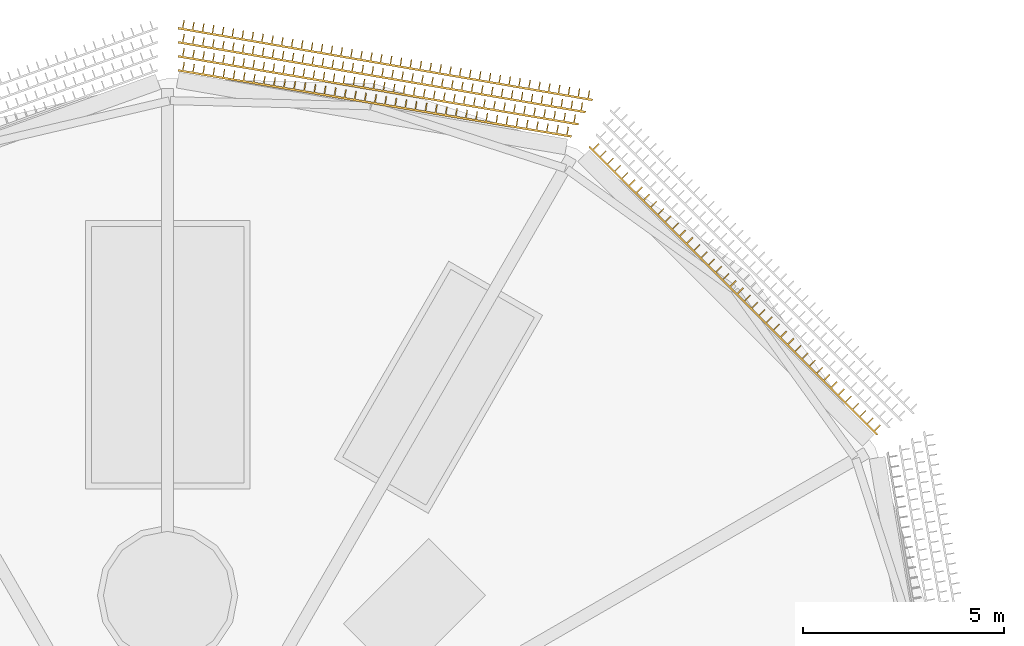
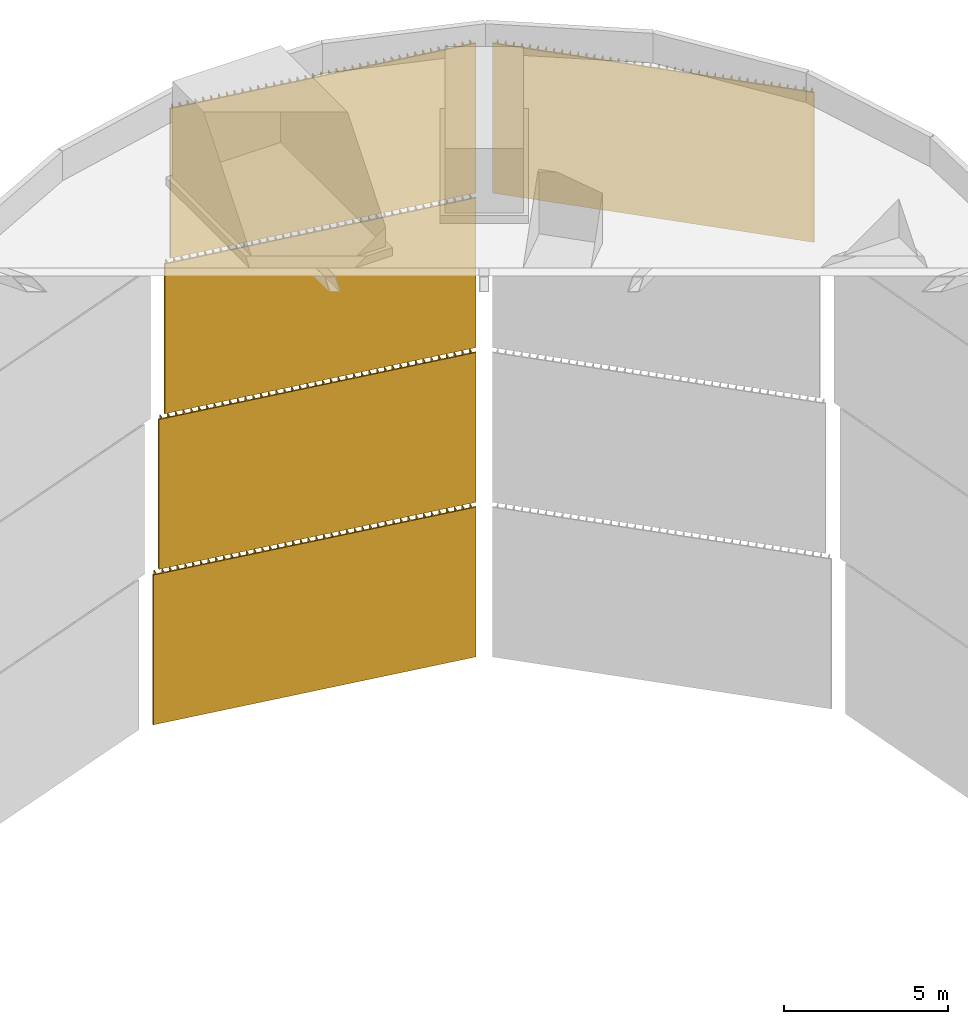
# One storey, part 21 of 24: 5 coverings.
"""IFC4 building model written with IfcOpenShell, lengths in metres."""

import ifcopenshell
import ifcopenshell.guid

model = None  # the IFC model being written
_history = None  # IfcOwnerHistory: only IFC2X3 demands one
_inside = {}  # id of a spatial element -> (the spatial element, [elements in it])
_under = {}  # id of a project, library or spatial element -> (it, [spatial elements below it])
_declared = {}  # id of a project -> (the project, [libraries it declares])
_typed = {}  # id of a type object -> (the type object, [elements of that type])
_made_of = {}  # id of a material, layer set ... -> (it, [elements and type objects made of it])


def new_model(schema):
    """Start an empty IFC model of exactly this schema.

    Asked for "IFC4X3", IfcOpenShell would pick the latest addendum, in which some entities
    have other attributes; the version numbers below select the first issue.
    IFC2X3 requires an IfcOwnerHistory on every rooted entity: one is made here for all.
    """
    global model, _history
    if schema == "IFC4X3":
        model = ifcopenshell.file(schema_version=(4, 3, 0, 0))
    else:
        model = ifcopenshell.file(schema=schema)
    _inside.clear()
    _under.clear()
    _declared.clear()
    _typed.clear()
    _made_of.clear()
    _history = None
    if model.schema == "IFC2X3":
        org = make("IfcOrganization", Name="unknown")
        user = make(
            "IfcPersonAndOrganization",
            ThePerson=make("IfcPerson", FamilyName="unknown"),
            TheOrganization=org,
        )
        app = make(
            "IfcApplication",
            ApplicationDeveloper=org,
            Version="unknown",
            ApplicationFullName="unknown",
            ApplicationIdentifier="unknown",
        )
        _history = make(
            "IfcOwnerHistory",
            OwningUser=user,
            OwningApplication=app,
            ChangeAction="ADDED",
            CreationDate=0,
        )
    return model


def make(cls, **values):
    """One entity of the class cls with the attributes given. An attribute that is None is left unset."""
    return model.create_entity(
        cls, **{name: value for name, value in values.items() if value is not None}
    )


def rooted(cls, **values):
    """An entity with a GlobalId (a new one), such as an element, a storey or a relation."""
    return make(cls, GlobalId=ifcopenshell.guid.new(), OwnerHistory=_history, **values)


def si_unit(unit_type, name, prefix=None):
    """IfcSIUnit, for example si_unit("LENGTHUNIT", "METRE", prefix="MILLI")."""
    return make("IfcSIUnit", UnitType=unit_type, Prefix=prefix, Name=name)


def assignment(units):
    """IfcUnitAssignment: the units of a project."""
    return None if units is None else make("IfcUnitAssignment", Units=units)


def point(xyz):
    """IfcCartesianPoint."""
    return None if xyz is None else make("IfcCartesianPoint", Coordinates=xyz)


def direction(xyz):
    """IfcDirection."""
    return None if xyz is None else make("IfcDirection", DirectionRatios=xyz)


def frame(location, z_axis=None, x_axis=None):
    """IfcAxis2Placement3D, a coordinate frame: its origin and axes. An axis left out is left unset."""
    return make(
        "IfcAxis2Placement3D",
        Location=point(location),
        Axis=direction(z_axis),
        RefDirection=direction(x_axis),
    )


def origin():
    """The frame at (0, 0, 0) with its axes left unset."""
    return frame((0.0, 0.0, 0.0))


def place(relative_to, where):
    """IfcLocalPlacement: puts the frame where relative to a parent placement (None: the world)."""
    return make(
        "IfcLocalPlacement", PlacementRelTo=relative_to, RelativePlacement=where
    )


def context(
    kind, dimensions, precision=None, world=None, true_north=None, identifier=None
):
    """IfcGeometricRepresentationContext, for example the 3D "Model" context."""
    return make(
        "IfcGeometricRepresentationContext",
        ContextIdentifier=identifier,
        ContextType=kind,
        CoordinateSpaceDimension=dimensions,
        Precision=precision,
        WorldCoordinateSystem=world,
        TrueNorth=true_north,
    )


def subcontext(parent, identifier, kind, view, scale=None):
    """IfcGeometricRepresentationSubContext, for example "Body" below "Model"."""
    return make(
        "IfcGeometricRepresentationSubContext",
        ContextIdentifier=identifier,
        ContextType=kind,
        ParentContext=parent,
        TargetScale=scale,
        TargetView=view,
    )


def project(units=None, contexts=None):
    """IfcProject with its units and contexts."""
    return rooted(
        "IfcProject",
        Name="project",
        RepresentationContexts=contexts,
        UnitsInContext=assignment(units),
    )


def spatial(cls, under=None, at=None, **own):
    """A site, building, storey or space (cls), placed at a placement, below another one or the project."""
    s = rooted(cls, ObjectPlacement=at, **own)
    if under is not None:
        _under.setdefault(under.id(), (under, []))[1].append(s)
    return s


def polyline(points):
    """IfcPolyline through the points."""
    return make("IfcPolyline", Points=[point(p) for p in points])


def outline(outer, holes=None, kind="AREA"):
    """IfcArbitraryClosedProfileDef: a profile drawn as a closed curve; with holes, ...WithVoids."""
    if holes is None:
        return make("IfcArbitraryClosedProfileDef", ProfileType=kind, OuterCurve=outer)
    return make(
        "IfcArbitraryProfileDefWithVoids",
        ProfileType=kind,
        OuterCurve=outer,
        InnerCurves=holes,
    )


def extrude(swept, where, along, depth):
    """IfcExtrudedAreaSolid: the profile swept, set in the frame where, extruded along a direction by depth."""
    return make(
        "IfcExtrudedAreaSolid",
        SweptArea=swept,
        Position=where,
        ExtrudedDirection=direction(along),
        Depth=depth,
    )


def shape(context_of_items, identifier, shape_type, items):
    """IfcShapeRepresentation: the items that make up one representation, for example the "Body"."""
    return make(
        "IfcShapeRepresentation",
        ContextOfItems=context_of_items,
        RepresentationIdentifier=identifier,
        RepresentationType=shape_type,
        Items=items,
    )


def material(Name=None, Category=None):
    """IfcMaterial."""
    return make("IfcMaterial", Name=Name, Category=Category)


def made_of(thing, what):
    """Note that an element or type object is made of a material, layer set ...; save() writes the relation."""
    if what is not None:
        _made_of.setdefault(what.id(), (what, []))[1].append(thing)
    return thing


def type_object(cls, material=None, **own):
    """A type object (cls), such as IfcWallType, which elements share."""
    return made_of(rooted(cls, **own), material)


def element(
    cls,
    number,
    at=None,
    inside=None,
    cuts=None,
    type_object=None,
    material=None,
    context=None,
    identifier="Body",
    shape_type=None,
    held_by="IfcProductDefinitionShape",
    body=None,
    shapes=None,
    **own,
):
    """One element of the class cls, such as IfcWall. Its Tag is "e" and its number.

    at: its placement. inside: the storey or other place that contains it. cuts: it is an
    opening in that element (IfcRelVoidsElement). A single representation is given by context,
    identifier, shape_type and body (its items); several are given by shapes. held_by: the class
    of the entity that holds the representations. save() writes the other relations.
    """
    e = rooted(cls, Tag="e%d" % number, ObjectPlacement=at, **own)
    if body is not None:
        shapes = [shape(context, identifier, shape_type, body)]
    if shapes is not None:
        e.Representation = make(held_by, Representations=shapes)
    if inside is not None:
        _inside.setdefault(inside.id(), (inside, []))[1].append(e)
    if cuts is not None:
        rooted(
            "IfcRelVoidsElement", RelatingBuildingElement=cuts, RelatedOpeningElement=e
        )
    if type_object is not None:
        _typed.setdefault(type_object.id(), (type_object, []))[1].append(e)
    return made_of(e, material)


def aggregate(whole, parts):
    """IfcRelAggregates: a whole, such as a stair, and the parts it consists of."""
    return rooted("IfcRelAggregates", RelatingObject=whole, RelatedObjects=parts)


def save(model, path):
    """Write the relations noted so far, then the file.

    IfcRelAggregates (storeys below a building ...), IfcRelContainedInSpatialStructure (elements
    in a storey), IfcRelDefinesByType, IfcRelAssociatesMaterial and IfcRelDeclares: one each for
    every whole, place, type object, material and project.
    """
    for whole, parts in _under.values():
        aggregate(whole, parts)
    for where, things in _inside.values():
        rooted(
            "IfcRelContainedInSpatialStructure",
            RelatedElements=things,
            RelatingStructure=where,
        )
    for kind, things in _typed.values():
        rooted("IfcRelDefinesByType", RelatedObjects=things, RelatingType=kind)
    for what, things in _made_of.values():
        rooted("IfcRelAssociatesMaterial", RelatedObjects=things, RelatingMaterial=what)
    for by, libraries in _declared.values():
        rooted("IfcRelDeclares", RelatingContext=by, RelatedDefinitions=libraries)
    model.write(path)


model = new_model("IFC4")

# Units and contexts
model_context = context("Model", 3, precision=1e-05, world=origin(), true_north=direction((0.0, 1.0)))
body_context = subcontext(model_context, "Body", "Model", "MODEL_VIEW")
ifc_project = project(units=[si_unit("LENGTHUNIT", "METRE"), si_unit("AREAUNIT", "SQUARE_METRE"), si_unit("VOLUMEUNIT", "CUBIC_METRE"), si_unit("PLANEANGLEUNIT", "RADIAN"), si_unit("MASSUNIT", "GRAM", prefix="KILO")], contexts=[model_context])

# Site, building, storey
site_placement = place(None, origin())
site = spatial("IfcSite", under=ifc_project, at=site_placement, CompositionType="ELEMENT")
building_placement = place(site_placement, origin())
building = spatial("IfcBuilding", under=site, at=building_placement, Name="Rimbun Link Towers", CompositionType="ELEMENT")
storey_placement = place(building_placement, frame((0.0, 0.0, 294.89990234375)))
storey = spatial("IfcBuildingStorey", under=building, at=storey_placement, Name="Roof cap", CompositionType="ELEMENT", Elevation=294.89990234375)

# Coverings
ifc_material = material(Name="Terracotta", Category="masonry")
covering_type = type_object("IfcCoveringType", Name="TERRACOTTA CLADDING screen fins", PredefinedType="CLADDING", material=ifc_material)
covering_1_placement = place(storey_placement, frame((0.0, 0.0, -23.087890625)))
element("IfcCovering", 1, at=covering_1_placement, inside=storey, type_object=covering_type, Name="TERRACOTTA CLADDING screen", PredefinedType="CLADDING", context=body_context, shape_type="SweptSolid", body=[
    extrude(outline(polyline([(42.353515625, 18.873779296875), (42.2451171875, 18.892578125), (42.279296875, 19.089599609375), (42.249755859375, 19.0947265625), (42.215576171875, 18.897705078125), (41.998779296875, 18.935302734375), (42.03271484375, 19.13232421875), (42.00341796875, 19.137451171875), (41.96923828125, 18.9404296875), (41.752197265625, 18.97802734375), (41.786376953125, 19.175048828125), (41.7568359375, 19.18017578125), (41.72265625, 18.983154296875), (41.505859375, 19.020751953125), (41.5400390625, 19.2177734375), (41.510498046875, 19.222900390625), (41.476318359375, 19.02587890625), (41.259521484375, 19.0634765625), (41.293701171875, 19.260498046875), (41.263916015625, 19.265380859375), (41.22998046875, 19.068603515625), (41.012939453125, 19.10595703125), (41.047119140625, 19.302978515625), (41.017578125, 19.30810546875), (40.9833984375, 19.111083984375), (40.7666015625, 19.148681640625), (40.80078125, 19.345703125), (40.771240234375, 19.350830078125), (40.737060546875, 19.15380859375), (40.520263671875, 19.19140625), (40.55419921875, 19.388427734375), (40.52490234375, 19.3935546875), (40.490478515625, 19.196533203125), (40.273681640625, 19.234130859375), (40.307861328125, 19.43115234375), (40.2783203125, 19.436279296875), (40.244140625, 19.2392578125), (40.02734375, 19.276611328125), (40.0615234375, 19.473876953125), (40.031982421875, 19.47900390625), (39.997802734375, 19.281982421875), (39.781005859375, 19.3193359375), (39.815185546875, 19.5166015625), (39.785400390625, 19.521484375), (39.75146484375, 19.324462890625), (39.534423828125, 19.362060546875), (39.568603515625, 19.55908203125), (39.5390625, 19.564208984375), (39.5048828125, 19.3671875), (39.2880859375, 19.40478515625), (39.322265625, 19.601806640625), (39.292724609375, 19.60693359375), (39.258544921875, 19.409912109375), (39.041748046875, 19.447509765625), (39.07568359375, 19.64453125), (39.04638671875, 19.649658203125), (39.01220703125, 19.45263671875), (38.79541015625, 19.489990234375), (38.829345703125, 19.687255859375), (38.7998046875, 19.6923828125), (38.765625, 19.4951171875), (38.548828125, 19.53271484375), (38.5830078125, 19.72998046875), (38.553466796875, 19.735107421875), (38.519287109375, 19.537841796875), (38.302490234375, 19.575439453125), (38.336669921875, 19.7724609375), (38.306884765625, 19.777587890625), (38.27294921875, 19.58056640625), (38.055908203125, 19.6181640625), (38.090087890625, 19.815185546875), (38.060546875, 19.8203125), (38.026611328125, 19.623291015625), (37.8095703125, 19.660888671875), (37.84375, 19.85791015625), (37.814208984375, 19.863037109375), (37.780029296875, 19.666015625), (37.563232421875, 19.70361328125), (37.597412109375, 19.900634765625), (37.56787109375, 19.90576171875), (37.53369140625, 19.70849609375), (37.31689453125, 19.74609375), (37.350830078125, 19.943115234375), (37.3212890625, 19.948486328125), (37.287109375, 19.751220703125), (37.0703125, 19.788818359375), (37.1044921875, 19.98583984375), (37.074951171875, 19.990966796875), (37.040771484375, 19.7939453125), (36.823974609375, 19.83154296875), (36.858154296875, 20.028564453125), (36.82861328125, 20.03369140625), (36.79443359375, 19.836669921875), (36.577392578125, 19.874267578125), (36.611572265625, 20.0712890625), (36.58203125, 20.076416015625), (36.548095703125, 19.87939453125), (36.3310546875, 19.9169921875), (36.365234375, 20.114013671875), (36.335693359375, 20.119140625), (36.301513671875, 19.922119140625), (36.084716796875, 19.95947265625), (36.118896484375, 20.156494140625), (36.089111328125, 20.16162109375), (36.05517578125, 19.964599609375), (35.83837890625, 20.002197265625), (35.872314453125, 20.19921875), (35.8427734375, 20.204345703125), (35.80859375, 20.00732421875), (35.591796875, 20.044921875), (35.6259765625, 20.241943359375), (35.596435546875, 20.2470703125), (35.562255859375, 20.050048828125), (35.345458984375, 20.087646484375), (35.379638671875, 20.28466796875), (35.35009765625, 20.289794921875), (35.31591796875, 20.0927734375), (35.09912109375, 20.130126953125), (35.133056640625, 20.327392578125), (35.103515625, 20.33251953125), (35.0693359375, 20.135498046875), (34.8525390625, 20.1728515625), (34.88671875, 20.3701171875), (34.857177734375, 20.375), (34.822998046875, 20.177978515625), (34.606201171875, 20.215576171875), (34.640380859375, 20.41259765625), (34.610595703125, 20.417724609375), (34.57666015625, 20.220703125), (34.35986328125, 20.25830078125), (34.393798828125, 20.455322265625), (34.3642578125, 20.46044921875), (34.330078125, 20.263427734375), (34.11328125, 20.30078125), (34.1474609375, 20.498046875), (34.117919921875, 20.503173828125), (34.083740234375, 20.30615234375), (33.866943359375, 20.343505859375), (33.90087890625, 20.540771484375), (33.87158203125, 20.5458984375), (33.83740234375, 20.3486328125), (33.62060546875, 20.38623046875), (33.654541015625, 20.58349609375), (33.625, 20.58837890625), (33.5908203125, 20.391357421875), (33.3740234375, 20.428955078125), (33.408203125, 20.6259765625), (33.378662109375, 20.631103515625), (33.344482421875, 20.43408203125), (33.127685546875, 20.4716796875), (33.161865234375, 20.668701171875), (33.132080078125, 20.673828125), (33.09814453125, 20.476806640625), (32.881103515625, 20.514404296875), (32.915283203125, 20.71142578125), (32.8857421875, 20.716552734375), (32.851806640625, 20.519287109375), (32.634765625, 20.556884765625), (32.6689453125, 20.754150390625), (32.639404296875, 20.75927734375), (32.605224609375, 20.56201171875), (32.388427734375, 20.599609375), (32.422607421875, 20.796630859375), (32.39306640625, 20.802001953125), (32.35888671875, 20.604736328125), (32.14208984375, 20.642333984375), (32.176025390625, 20.83935546875), (32.146484375, 20.844482421875), (32.1123046875, 20.6474609375), (32.00390625, 20.666259765625), (32.00390625, 20.615478515625), (42.326904296875, 18.827880859375), (42.353515625, 18.873779296875)])), origin(), (0.0, 0.0, 1.0), 5.575927734375),
])
covering_2_placement = place(storey_placement, frame((0.0, 0.0, -17.087890625)))
element("IfcCovering", 2, at=covering_2_placement, inside=storey, type_object=covering_type, Name="TERRACOTTA CLADDING screen", PredefinedType="CLADDING", context=body_context, shape_type="SweptSolid", body=[
    extrude(outline(polyline([(42.1787109375, 18.57080078125), (42.0693359375, 18.589599609375), (42.10302734375, 18.78662109375), (42.073486328125, 18.791748046875), (42.039794921875, 18.594482421875), (41.821044921875, 18.632080078125), (41.85498046875, 18.829345703125), (41.825439453125, 18.834228515625), (41.79150390625, 18.63720703125), (41.572998046875, 18.6748046875), (41.606689453125, 18.871826171875), (41.5771484375, 18.876953125), (41.54345703125, 18.6796875), (41.32470703125, 18.71728515625), (41.358642578125, 18.914306640625), (41.3291015625, 18.91943359375), (41.295166015625, 18.722412109375), (41.07666015625, 18.759765625), (41.110595703125, 18.95703125), (41.080810546875, 18.9619140625), (41.047119140625, 18.764892578125), (40.82861328125, 18.802490234375), (40.8623046875, 18.99951171875), (40.832763671875, 19.004638671875), (40.798828125, 18.8076171875), (40.580322265625, 18.844970703125), (40.614013671875, 19.0419921875), (40.584716796875, 19.047119140625), (40.55078125, 18.85009765625), (40.332275390625, 18.8876953125), (40.365966796875, 19.084716796875), (40.33642578125, 19.089599609375), (40.302490234375, 18.892578125), (40.083984375, 18.93017578125), (40.117919921875, 19.127197265625), (40.088134765625, 19.13232421875), (40.054443359375, 18.935302734375), (39.835693359375, 18.97265625), (39.86962890625, 19.169921875), (39.840087890625, 19.1748046875), (39.806396484375, 18.977783203125), (39.587646484375, 19.015380859375), (39.62158203125, 19.21240234375), (39.591796875, 19.217529296875), (39.55810546875, 19.020263671875), (39.339599609375, 19.057861328125), (39.373291015625, 19.2548828125), (39.34375, 19.260009765625), (39.309814453125, 19.06298828125), (39.09130859375, 19.100341796875), (39.125244140625, 19.297607421875), (39.095703125, 19.302490234375), (39.061767578125, 19.10546875), (38.84326171875, 19.14306640625), (38.876953125, 19.340087890625), (38.847412109375, 19.34521484375), (38.813720703125, 19.148193359375), (38.594970703125, 19.185546875), (38.62890625, 19.3828125), (38.599365234375, 19.3876953125), (38.5654296875, 19.190673828125), (38.346923828125, 19.22802734375), (38.380615234375, 19.42529296875), (38.35107421875, 19.430419921875), (38.3173828125, 19.233154296875), (38.0986328125, 19.270751953125), (38.132568359375, 19.4677734375), (38.10302734375, 19.472900390625), (38.069091796875, 19.27587890625), (37.8505859375, 19.313232421875), (37.884521484375, 19.510498046875), (37.854736328125, 19.515380859375), (37.821044921875, 19.318359375), (37.602294921875, 19.355712890625), (37.63623046875, 19.552978515625), (37.606689453125, 19.55810546875), (37.57275390625, 19.36083984375), (37.354248046875, 19.3984375), (37.387939453125, 19.595458984375), (37.3583984375, 19.6005859375), (37.32470703125, 19.403564453125), (37.106201171875, 19.44091796875), (37.139892578125, 19.63818359375), (37.1103515625, 19.643310546875), (37.076416015625, 19.446044921875), (36.85791015625, 19.483642578125), (36.8916015625, 19.6806640625), (36.8623046875, 19.685791015625), (36.828369140625, 19.488525390625), (36.60986328125, 19.526123046875), (36.6435546875, 19.72314453125), (36.614013671875, 19.728271484375), (36.580078125, 19.53125), (36.361572265625, 19.568603515625), (36.3955078125, 19.765869140625), (36.36572265625, 19.77099609375), (36.33203125, 19.57373046875), (36.11328125, 19.611328125), (36.147216796875, 19.808349609375), (36.11767578125, 19.8134765625), (36.083984375, 19.6162109375), (35.865234375, 19.65380859375), (35.899169921875, 19.85107421875), (35.869384765625, 19.85595703125), (35.835693359375, 19.658935546875), (35.6171875, 19.6962890625), (35.65087890625, 19.8935546875), (35.621337890625, 19.898681640625), (35.58740234375, 19.701416015625), (35.368896484375, 19.739013671875), (35.40283203125, 19.93603515625), (35.373291015625, 19.941162109375), (35.33935546875, 19.744140625), (35.120849609375, 19.781494140625), (35.154541015625, 19.978759765625), (35.125, 19.983642578125), (35.09130859375, 19.78662109375), (34.87255859375, 19.82421875), (34.906494140625, 20.021240234375), (34.876953125, 20.0263671875), (34.843017578125, 19.8291015625), (34.62451171875, 19.86669921875), (34.658203125, 20.063720703125), (34.628662109375, 20.06884765625), (34.594970703125, 19.871826171875), (34.376220703125, 19.9091796875), (34.41015625, 20.1064453125), (34.380615234375, 20.111572265625), (34.3466796875, 19.914306640625), (34.128173828125, 19.951904296875), (34.162109375, 20.14892578125), (34.13232421875, 20.154052734375), (34.0986328125, 19.956787109375), (33.8798828125, 19.994384765625), (33.913818359375, 20.19140625), (33.88427734375, 20.196533203125), (33.850341796875, 19.99951171875), (33.6318359375, 20.037109375), (33.66552734375, 20.234130859375), (33.635986328125, 20.2392578125), (33.602294921875, 20.0419921875), (33.3837890625, 20.07958984375), (33.41748046875, 20.276611328125), (33.387939453125, 20.28173828125), (33.35400390625, 20.084716796875), (33.135498046875, 20.1220703125), (33.169189453125, 20.319091796875), (33.139892578125, 20.32421875), (33.10595703125, 20.127197265625), (32.88720703125, 20.164794921875), (32.921142578125, 20.36181640625), (32.8916015625, 20.366943359375), (32.85791015625, 20.169921875), (32.63916015625, 20.207275390625), (32.673095703125, 20.404296875), (32.643310546875, 20.409423828125), (32.609619140625, 20.21240234375), (32.39111328125, 20.249755859375), (32.4248046875, 20.447021484375), (32.395263671875, 20.451904296875), (32.361572265625, 20.2548828125), (32.142822265625, 20.29248046875), (32.1767578125, 20.489501953125), (32.147216796875, 20.49462890625), (32.11328125, 20.297607421875), (32.00390625, 20.316162109375), (32.00390625, 20.265380859375), (42.15185546875, 18.524658203125), (42.1787109375, 18.57080078125)])), origin(), (0.0, 0.0, 1.0), 5.575927734375),
])
covering_3_placement = place(storey_placement, frame((0.0, 0.0, -11.087890625)))
element("IfcCovering", 3, at=covering_3_placement, inside=storey, type_object=covering_type, Name="TERRACOTTA CLADDING screen", PredefinedType="CLADDING", context=body_context, shape_type="SweptSolid", body=[
    extrude(outline(polyline([(42.003662109375, 18.267578125), (41.893310546875, 18.28662109375), (41.927001953125, 18.483642578125), (41.897216796875, 18.48876953125), (41.86376953125, 18.29150390625), (41.643310546875, 18.328857421875), (41.677001953125, 18.526123046875), (41.647216796875, 18.531005859375), (41.61376953125, 18.333984375), (41.393310546875, 18.371337890625), (41.427001953125, 18.568603515625), (41.397216796875, 18.573486328125), (41.36376953125, 18.37646484375), (41.143310546875, 18.413818359375), (41.177001953125, 18.611083984375), (41.147216796875, 18.615966796875), (41.11376953125, 18.4189453125), (40.893310546875, 18.456298828125), (40.927001953125, 18.653564453125), (40.897216796875, 18.658447265625), (40.864013671875, 18.461181640625), (40.643310546875, 18.498779296875), (40.677001953125, 18.69580078125), (40.6474609375, 18.700927734375), (40.614013671875, 18.50390625), (40.393310546875, 18.541259765625), (40.427001953125, 18.73828125), (40.3974609375, 18.743408203125), (40.364013671875, 18.54638671875), (40.1435546875, 18.583740234375), (40.177001953125, 18.781005859375), (40.1474609375, 18.785888671875), (40.114013671875, 18.588623046875), (39.8935546875, 18.626220703125), (39.927001953125, 18.8232421875), (39.8974609375, 18.828369140625), (39.864013671875, 18.631103515625), (39.6435546875, 18.668701171875), (39.677001953125, 18.86572265625), (39.6474609375, 18.870849609375), (39.614013671875, 18.673583984375), (39.3935546875, 18.711181640625), (39.427001953125, 18.908203125), (39.3974609375, 18.913330078125), (39.364013671875, 18.716064453125), (39.1435546875, 18.75341796875), (39.177001953125, 18.95068359375), (39.1474609375, 18.955810546875), (39.114013671875, 18.758544921875), (38.8935546875, 18.7958984375), (38.927001953125, 18.9931640625), (38.8974609375, 18.998291015625), (38.864013671875, 18.801025390625), (38.6435546875, 18.83837890625), (38.677001953125, 19.03564453125), (38.6474609375, 19.040771484375), (38.614013671875, 18.843505859375), (38.3935546875, 18.880859375), (38.427001953125, 19.078125), (38.3974609375, 19.0830078125), (38.364013671875, 18.885986328125), (38.1435546875, 18.92333984375), (38.177001953125, 19.12060546875), (38.1474609375, 19.12548828125), (38.114013671875, 18.928466796875), (37.8935546875, 18.9658203125), (37.927001953125, 19.1630859375), (37.8974609375, 19.16796875), (37.864013671875, 18.970947265625), (37.6435546875, 19.00830078125), (37.677001953125, 19.20556640625), (37.6474609375, 19.21044921875), (37.614013671875, 19.01318359375), (37.3935546875, 19.05078125), (37.427001953125, 19.247802734375), (37.3974609375, 19.2529296875), (37.364013671875, 19.055908203125), (37.1435546875, 19.09326171875), (37.177001953125, 19.290283203125), (37.1474609375, 19.29541015625), (37.114013671875, 19.098388671875), (36.8935546875, 19.1357421875), (36.927001953125, 19.3330078125), (36.8974609375, 19.337890625), (36.864013671875, 19.140625), (36.6435546875, 19.17822265625), (36.677001953125, 19.375244140625), (36.6474609375, 19.38037109375), (36.614013671875, 19.18310546875), (36.3935546875, 19.220703125), (36.427001953125, 19.417724609375), (36.3974609375, 19.4228515625), (36.364013671875, 19.2255859375), (36.1435546875, 19.26318359375), (36.177001953125, 19.460205078125), (36.1474609375, 19.46533203125), (36.114013671875, 19.26806640625), (35.8935546875, 19.305419921875), (35.927001953125, 19.502685546875), (35.8974609375, 19.5078125), (35.864013671875, 19.310546875), (35.6435546875, 19.347900390625), (35.677001953125, 19.545166015625), (35.647705078125, 19.55029296875), (35.614013671875, 19.35302734375), (35.393798828125, 19.390380859375), (35.427001953125, 19.587646484375), (35.397705078125, 19.5927734375), (35.364013671875, 19.3955078125), (35.143798828125, 19.432861328125), (35.17724609375, 19.630126953125), (35.147705078125, 19.635009765625), (35.114013671875, 19.43798828125), (34.893798828125, 19.475341796875), (34.92724609375, 19.672607421875), (34.897705078125, 19.677490234375), (34.864013671875, 19.48046875), (34.643798828125, 19.517822265625), (34.67724609375, 19.715087890625), (34.647705078125, 19.72021484375), (34.614013671875, 19.52294921875), (34.393798828125, 19.560302734375), (34.42724609375, 19.757568359375), (34.397705078125, 19.762451171875), (34.364013671875, 19.565185546875), (34.143798828125, 19.602783203125), (34.17724609375, 19.800048828125), (34.147705078125, 19.804931640625), (34.114013671875, 19.60791015625), (33.893798828125, 19.645263671875), (33.92724609375, 19.84228515625), (33.897705078125, 19.847412109375), (33.864013671875, 19.650390625), (33.643798828125, 19.687744140625), (33.67724609375, 19.885009765625), (33.647705078125, 19.889892578125), (33.614013671875, 19.692626953125), (33.393798828125, 19.730224609375), (33.42724609375, 19.92724609375), (33.397705078125, 19.932373046875), (33.3642578125, 19.735107421875), (33.143798828125, 19.772705078125), (33.17724609375, 19.9697265625), (33.147705078125, 19.974853515625), (33.1142578125, 19.777587890625), (32.893798828125, 19.815185546875), (32.92724609375, 20.01220703125), (32.897705078125, 20.017333984375), (32.8642578125, 19.820068359375), (32.643798828125, 19.857421875), (32.67724609375, 20.0546875), (32.647705078125, 20.059814453125), (32.6142578125, 19.862548828125), (32.393798828125, 19.89990234375), (32.42724609375, 20.09716796875), (32.397705078125, 20.102294921875), (32.3642578125, 19.905029296875), (32.143798828125, 19.9423828125), (32.17724609375, 20.1396484375), (32.147705078125, 20.144775390625), (32.1142578125, 19.947509765625), (32.00390625, 19.96630859375), (32.00390625, 19.91552734375), (41.976806640625, 18.2216796875), (42.003662109375, 18.267578125)])), origin(), (0.0, 0.0, 1.0), 5.575927734375),
])
covering_4_placement = place(storey_placement, frame((0.0, 0.0, -5.087890625)))
element("IfcCovering", 4, at=covering_4_placement, inside=storey, type_object=covering_type, Name="TERRACOTTA CLADDING screen", PredefinedType="CLADDING", context=body_context, shape_type="SweptSolid", body=[
    extrude(outline(polyline([(41.82861328125, 17.964599609375), (41.71728515625, 17.9833984375), (41.75048828125, 18.1806640625), (41.720947265625, 18.185546875), (41.68798828125, 17.98828125), (41.465576171875, 18.025634765625), (41.498779296875, 18.222900390625), (41.468994140625, 18.227783203125), (41.43603515625, 18.03076171875), (41.213623046875, 18.068115234375), (41.246826171875, 18.265380859375), (41.21728515625, 18.270263671875), (41.18408203125, 18.072998046875), (40.961669921875, 18.1103515625), (40.994873046875, 18.3076171875), (40.96533203125, 18.3125), (40.93212890625, 18.115478515625), (40.709716796875, 18.152587890625), (40.742919921875, 18.35009765625), (40.71337890625, 18.35498046875), (40.68017578125, 18.15771484375), (40.4580078125, 18.195068359375), (40.490966796875, 18.392333984375), (40.46142578125, 18.397216796875), (40.42822265625, 18.2001953125), (40.2060546875, 18.2373046875), (40.239013671875, 18.434814453125), (40.20947265625, 18.439697265625), (40.176513671875, 18.242431640625), (39.9541015625, 18.27978515625), (39.9873046875, 18.47705078125), (39.95751953125, 18.48193359375), (39.924560546875, 18.284912109375), (39.7021484375, 18.322021484375), (39.7353515625, 18.519287109375), (39.705810546875, 18.5244140625), (39.672607421875, 18.3271484375), (39.4501953125, 18.364501953125), (39.4833984375, 18.561767578125), (39.453857421875, 18.566650390625), (39.420654296875, 18.369384765625), (39.1982421875, 18.40673828125), (39.2314453125, 18.60400390625), (39.201904296875, 18.60888671875), (39.168701171875, 18.411865234375), (38.9462890625, 18.44921875), (38.9794921875, 18.646484375), (38.949951171875, 18.6513671875), (38.916748046875, 18.4541015625), (38.694580078125, 18.491455078125), (38.7275390625, 18.688720703125), (38.697998046875, 18.693603515625), (38.664794921875, 18.49658203125), (38.442626953125, 18.533935546875), (38.4755859375, 18.731201171875), (38.446044921875, 18.736083984375), (38.4130859375, 18.538818359375), (38.190673828125, 18.576171875), (38.223876953125, 18.7734375), (38.194091796875, 18.7783203125), (38.1611328125, 18.581298828125), (37.938720703125, 18.61865234375), (37.971923828125, 18.81591796875), (37.9423828125, 18.82080078125), (37.9091796875, 18.62353515625), (37.686767578125, 18.660888671875), (37.719970703125, 18.858154296875), (37.6904296875, 18.863037109375), (37.6572265625, 18.666015625), (37.434814453125, 18.703369140625), (37.468017578125, 18.900390625), (37.4384765625, 18.905517578125), (37.4052734375, 18.708251953125), (37.18310546875, 18.74560546875), (37.21630859375, 18.94287109375), (37.1865234375, 18.94775390625), (37.1533203125, 18.75048828125), (36.93115234375, 18.787841796875), (36.96435546875, 18.985107421875), (36.934814453125, 18.990234375), (36.901611328125, 18.79296875), (36.67919921875, 18.830322265625), (36.71240234375, 19.027587890625), (36.682861328125, 19.032470703125), (36.649658203125, 18.835205078125), (36.42724609375, 18.87255859375), (36.46044921875, 19.06982421875), (36.430908203125, 19.07470703125), (36.397705078125, 18.877685546875), (36.17529296875, 18.9150390625), (36.20849609375, 19.1123046875), (36.178955078125, 19.1171875), (36.145751953125, 18.919921875), (35.92333984375, 18.957275390625), (35.95654296875, 19.154541015625), (35.927001953125, 19.159423828125), (35.893798828125, 18.96240234375), (35.67138671875, 18.999755859375), (35.70458984375, 19.197021484375), (35.675048828125, 19.201904296875), (35.641845703125, 19.004638671875), (35.419677734375, 19.0419921875), (35.452880859375, 19.2392578125), (35.423095703125, 19.244140625), (35.389892578125, 19.047119140625), (35.167724609375, 19.08447265625), (35.200927734375, 19.281494140625), (35.17138671875, 19.28662109375), (35.13818359375, 19.08935546875), (34.915771484375, 19.126708984375), (34.948974609375, 19.323974609375), (34.91943359375, 19.328857421875), (34.88623046875, 19.131591796875), (34.663818359375, 19.169189453125), (34.697021484375, 19.3662109375), (34.66748046875, 19.371337890625), (34.63427734375, 19.174072265625), (34.412109375, 19.21142578125), (34.445068359375, 19.40869140625), (34.41552734375, 19.41357421875), (34.38232421875, 19.21630859375), (34.16015625, 19.25390625), (34.193115234375, 19.450927734375), (34.16357421875, 19.4560546875), (34.130615234375, 19.2587890625), (33.908203125, 19.296142578125), (33.94140625, 19.493408203125), (33.91162109375, 19.498291015625), (33.878662109375, 19.301025390625), (33.65625, 19.33837890625), (33.689453125, 19.53564453125), (33.659912109375, 19.540771484375), (33.626708984375, 19.343505859375), (33.404296875, 19.380859375), (33.4375, 19.577880859375), (33.407958984375, 19.5830078125), (33.374755859375, 19.3857421875), (33.15234375, 19.423095703125), (33.185546875, 19.620361328125), (33.156005859375, 19.62548828125), (33.122802734375, 19.427978515625), (32.900390625, 19.465576171875), (32.93359375, 19.66259765625), (32.904052734375, 19.667724609375), (32.870849609375, 19.470458984375), (32.648681640625, 19.5078125), (32.681640625, 19.705078125), (32.652099609375, 19.710205078125), (32.618896484375, 19.5126953125), (32.396728515625, 19.55029296875), (32.4296875, 19.747314453125), (32.400146484375, 19.75244140625), (32.3671875, 19.55517578125), (32.144775390625, 19.592529296875), (32.177978515625, 19.789794921875), (32.148193359375, 19.794677734375), (32.115234375, 19.597412109375), (32.00390625, 19.6162109375), (32.00390625, 19.5654296875), (41.802001953125, 17.91845703125), (41.82861328125, 17.964599609375)])), origin(), (0.0, 0.0, 1.0), 5.575927734375),
])
covering_5_placement = place(storey_placement, frame((0.0, 0.0, -5.087890625)))
element("IfcCovering", 5, at=covering_5_placement, inside=storey, type_object=covering_type, Name="TERRACOTTA CLADDING screen", PredefinedType="CLADDING", context=body_context, shape_type="SweptSolid", body=[
    extrude(outline(polyline([(49.459228515625, 10.517822265625), (49.3798828125, 10.596923828125), (49.521484375, 10.738525390625), (49.500244140625, 10.759765625), (49.35888671875, 10.618408203125), (49.2001953125, 10.77685546875), (49.341552734375, 10.918212890625), (49.3203125, 10.939453125), (49.178955078125, 10.798095703125), (49.0205078125, 10.95654296875), (49.161865234375, 11.097900390625), (49.140625, 11.119384765625), (48.999267578125, 10.977783203125), (48.840576171875, 11.136474609375), (48.98193359375, 11.27783203125), (48.960693359375, 11.299072265625), (48.8193359375, 11.15771484375), (48.660888671875, 11.316162109375), (48.80224609375, 11.45751953125), (48.781005859375, 11.478759765625), (48.6396484375, 11.33740234375), (48.481201171875, 11.49609375), (48.62255859375, 11.637451171875), (48.601318359375, 11.65869140625), (48.459716796875, 11.51708984375), (48.30126953125, 11.67578125), (48.442626953125, 11.817138671875), (48.42138671875, 11.83837890625), (48.280029296875, 11.697021484375), (48.12158203125, 11.855712890625), (48.262939453125, 11.9970703125), (48.24169921875, 12.018310546875), (48.100341796875, 11.876708984375), (47.941650390625, 12.035400390625), (48.0830078125, 12.1767578125), (48.06201171875, 12.197998046875), (47.92041015625, 12.056640625), (47.761962890625, 12.215087890625), (47.9033203125, 12.356689453125), (47.882080078125, 12.377685546875), (47.74072265625, 12.236328125), (47.58203125, 12.39501953125), (47.723388671875, 12.536376953125), (47.702392578125, 12.5576171875), (47.560791015625, 12.416015625), (47.40234375, 12.57470703125), (47.543701171875, 12.716064453125), (47.5224609375, 12.7373046875), (47.381103515625, 12.595947265625), (47.222412109375, 12.75439453125), (47.364013671875, 12.89599609375), (47.3427734375, 12.9169921875), (47.201416015625, 12.775634765625), (47.042724609375, 12.934326171875), (47.18408203125, 13.07568359375), (47.1630859375, 13.096923828125), (47.021484375, 12.95556640625), (46.863037109375, 13.114013671875), (47.00439453125, 13.255615234375), (46.983154296875, 13.276611328125), (46.841796875, 13.13525390625), (46.68310546875, 13.2939453125), (46.82470703125, 13.435302734375), (46.803466796875, 13.45654296875), (46.662109375, 13.315185546875), (46.50341796875, 13.4736328125), (46.644775390625, 13.614990234375), (46.62353515625, 13.63623046875), (46.482177734375, 13.494873046875), (46.323486328125, 13.6533203125), (46.465087890625, 13.794921875), (46.44384765625, 13.816162109375), (46.302490234375, 13.6748046875), (46.143798828125, 13.833251953125), (46.28515625, 13.974609375), (46.263916015625, 13.995849609375), (46.12255859375, 13.8544921875), (45.964111328125, 14.012939453125), (46.10546875, 14.154296875), (46.084228515625, 14.175537109375), (45.94287109375, 14.0341796875), (45.7841796875, 14.19287109375), (45.925537109375, 14.334228515625), (45.904296875, 14.35546875), (45.762939453125, 14.214111328125), (45.6044921875, 14.37255859375), (45.745849609375, 14.513916015625), (45.724609375, 14.53515625), (45.583251953125, 14.393798828125), (45.4248046875, 14.552490234375), (45.566162109375, 14.69384765625), (45.544921875, 14.715087890625), (45.4033203125, 14.573486328125), (45.244873046875, 14.732177734375), (45.38623046875, 14.87353515625), (45.364990234375, 14.894775390625), (45.2236328125, 14.75341796875), (45.065185546875, 14.912109375), (45.20654296875, 15.053466796875), (45.185302734375, 15.07470703125), (45.0439453125, 14.93310546875), (44.88525390625, 15.091796875), (45.026611328125, 15.233154296875), (45.005615234375, 15.25439453125), (44.864013671875, 15.113037109375), (44.70556640625, 15.271484375), (44.846923828125, 15.4130859375), (44.82568359375, 15.43408203125), (44.684326171875, 15.292724609375), (44.525634765625, 15.451416015625), (44.6669921875, 15.5927734375), (44.64599609375, 15.614013671875), (44.50439453125, 15.472412109375), (44.345947265625, 15.631103515625), (44.4873046875, 15.7724609375), (44.466064453125, 15.793701171875), (44.32470703125, 15.65234375), (44.166015625, 15.810791015625), (44.3076171875, 15.952392578125), (44.286376953125, 15.973388671875), (44.14501953125, 15.83203125), (43.986328125, 15.99072265625), (44.127685546875, 16.132080078125), (44.106689453125, 16.1533203125), (43.965087890625, 16.011962890625), (43.806640625, 16.17041015625), (43.947998046875, 16.31201171875), (43.9267578125, 16.3330078125), (43.785400390625, 16.191650390625), (43.626708984375, 16.350341796875), (43.768310546875, 16.49169921875), (43.7470703125, 16.512939453125), (43.605712890625, 16.37158203125), (43.447021484375, 16.530029296875), (43.58837890625, 16.67138671875), (43.567138671875, 16.692626953125), (43.42578125, 16.55126953125), (43.26708984375, 16.709716796875), (43.40869140625, 16.851318359375), (43.387451171875, 16.87255859375), (43.24609375, 16.731201171875), (43.08740234375, 16.8896484375), (43.228759765625, 17.031005859375), (43.20751953125, 17.05224609375), (43.066162109375, 16.910888671875), (42.90771484375, 17.0693359375), (43.049072265625, 17.210693359375), (43.02783203125, 17.23193359375), (42.886474609375, 17.090576171875), (42.727783203125, 17.249267578125), (42.869384765625, 17.390625), (42.847900390625, 17.411865234375), (42.70654296875, 17.2705078125), (42.548095703125, 17.428955078125), (42.689453125, 17.5703125), (42.668212890625, 17.591552734375), (42.52685546875, 17.4501953125), (42.368408203125, 17.60888671875), (42.509765625, 17.750244140625), (42.488525390625, 17.771484375), (42.346923828125, 17.6298828125), (42.267822265625, 17.709228515625), (42.241943359375, 17.664306640625), (49.414306640625, 10.491943359375), (49.459228515625, 10.517822265625)])), origin(), (0.0, 0.0, 1.0), 5.575927734375),
])

save(model, "model.ifc")
